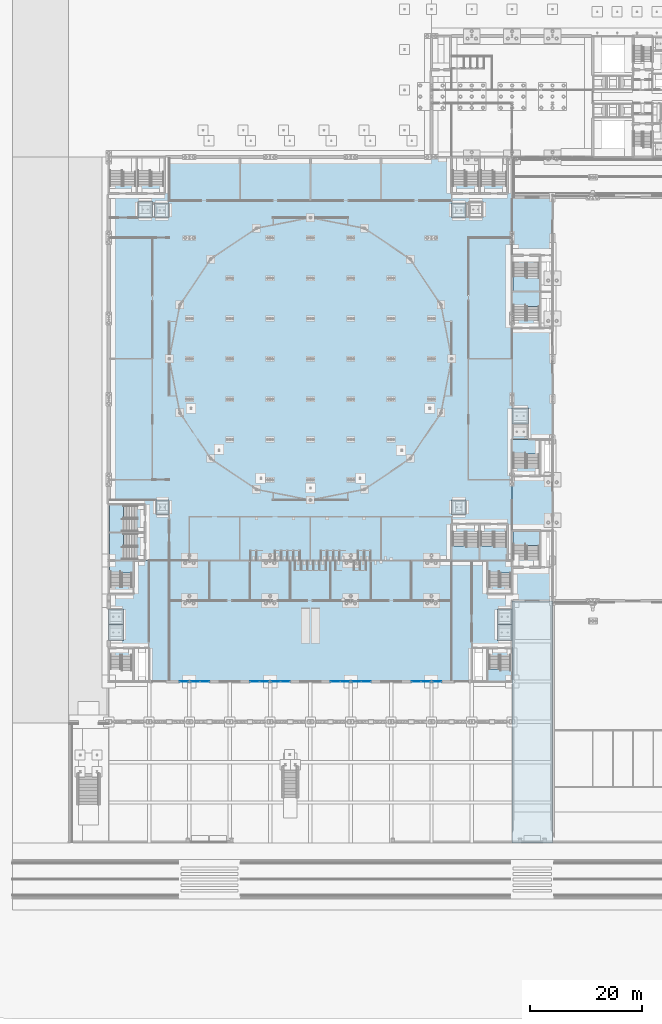
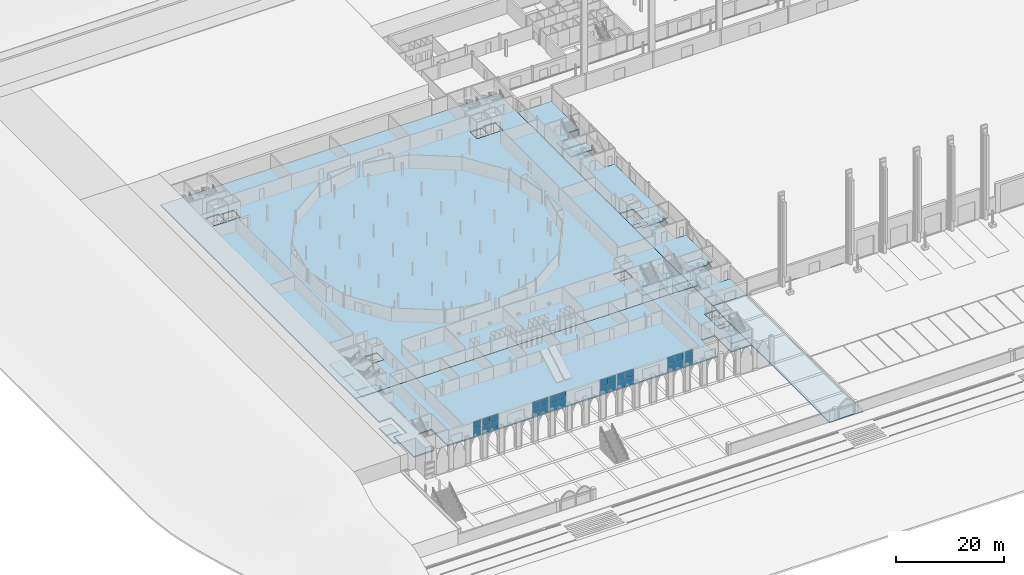
# One storey, part 73 of 148: 28 plates, 26 slabs, 19 elements without a shape of their own.
"""IFC4 building model written with IfcOpenShell, lengths in metres."""

import ifcopenshell
import ifcopenshell.guid

model = None  # the IFC model being written
_history = None  # IfcOwnerHistory: only IFC2X3 demands one
_inside = {}  # id of a spatial element -> (the spatial element, [elements in it])
_under = {}  # id of a project, library or spatial element -> (it, [spatial elements below it])
_declared = {}  # id of a project -> (the project, [libraries it declares])
_typed = {}  # id of a type object -> (the type object, [elements of that type])
_made_of = {}  # id of a material, layer set ... -> (it, [elements and type objects made of it])


def new_model(schema):
    """Start an empty IFC model of exactly this schema.

    Asked for "IFC4X3", IfcOpenShell would pick the latest addendum, in which some entities
    have other attributes; the version numbers below select the first issue.
    IFC2X3 requires an IfcOwnerHistory on every rooted entity: one is made here for all.
    """
    global model, _history
    if schema == "IFC4X3":
        model = ifcopenshell.file(schema_version=(4, 3, 0, 0))
    else:
        model = ifcopenshell.file(schema=schema)
    _inside.clear()
    _under.clear()
    _declared.clear()
    _typed.clear()
    _made_of.clear()
    _history = None
    if model.schema == "IFC2X3":
        org = make("IfcOrganization", Name="unknown")
        user = make(
            "IfcPersonAndOrganization",
            ThePerson=make("IfcPerson", FamilyName="unknown"),
            TheOrganization=org,
        )
        app = make(
            "IfcApplication",
            ApplicationDeveloper=org,
            Version="unknown",
            ApplicationFullName="unknown",
            ApplicationIdentifier="unknown",
        )
        _history = make(
            "IfcOwnerHistory",
            OwningUser=user,
            OwningApplication=app,
            ChangeAction="ADDED",
            CreationDate=0,
        )
    return model


def make(cls, **values):
    """One entity of the class cls with the attributes given. An attribute that is None is left unset."""
    return model.create_entity(
        cls, **{name: value for name, value in values.items() if value is not None}
    )


def rooted(cls, **values):
    """An entity with a GlobalId (a new one), such as an element, a storey or a relation."""
    return make(cls, GlobalId=ifcopenshell.guid.new(), OwnerHistory=_history, **values)


def si_unit(unit_type, name, prefix=None):
    """IfcSIUnit, for example si_unit("LENGTHUNIT", "METRE", prefix="MILLI")."""
    return make("IfcSIUnit", UnitType=unit_type, Prefix=prefix, Name=name)


def assignment(units):
    """IfcUnitAssignment: the units of a project."""
    return None if units is None else make("IfcUnitAssignment", Units=units)


def point(xyz):
    """IfcCartesianPoint."""
    return None if xyz is None else make("IfcCartesianPoint", Coordinates=xyz)


def direction(xyz):
    """IfcDirection."""
    return None if xyz is None else make("IfcDirection", DirectionRatios=xyz)


def frame(location, z_axis=None, x_axis=None):
    """IfcAxis2Placement3D, a coordinate frame: its origin and axes. An axis left out is left unset."""
    return make(
        "IfcAxis2Placement3D",
        Location=point(location),
        Axis=direction(z_axis),
        RefDirection=direction(x_axis),
    )


def frame_2d(location, x_axis=None):
    """IfcAxis2Placement2D, a coordinate frame in the plane: its origin and x axis."""
    return make(
        "IfcAxis2Placement2D", Location=point(location), RefDirection=direction(x_axis)
    )


def origin():
    """The frame at (0, 0, 0) with its axes left unset."""
    return frame((0.0, 0.0, 0.0))


def origin_2d():
    """The frame at (0, 0) in the plane with its x axis left unset."""
    return frame_2d((0.0, 0.0))


def place(relative_to, where):
    """IfcLocalPlacement: puts the frame where relative to a parent placement (None: the world)."""
    return make(
        "IfcLocalPlacement", PlacementRelTo=relative_to, RelativePlacement=where
    )


def context(
    kind, dimensions, precision=None, world=None, true_north=None, identifier=None
):
    """IfcGeometricRepresentationContext, for example the 3D "Model" context."""
    return make(
        "IfcGeometricRepresentationContext",
        ContextIdentifier=identifier,
        ContextType=kind,
        CoordinateSpaceDimension=dimensions,
        Precision=precision,
        WorldCoordinateSystem=world,
        TrueNorth=true_north,
    )


def subcontext(parent, identifier, kind, view, scale=None):
    """IfcGeometricRepresentationSubContext, for example "Body" below "Model"."""
    return make(
        "IfcGeometricRepresentationSubContext",
        ContextIdentifier=identifier,
        ContextType=kind,
        ParentContext=parent,
        TargetScale=scale,
        TargetView=view,
    )


def project(units=None, contexts=None):
    """IfcProject with its units and contexts."""
    return rooted(
        "IfcProject",
        Name="project",
        RepresentationContexts=contexts,
        UnitsInContext=assignment(units),
    )


def spatial(cls, under=None, at=None, **own):
    """A site, building, storey or space (cls), placed at a placement, below another one or the project."""
    s = rooted(cls, ObjectPlacement=at, **own)
    if under is not None:
        _under.setdefault(under.id(), (under, []))[1].append(s)
    return s


def polyline(points):
    """IfcPolyline through the points."""
    return make("IfcPolyline", Points=[point(p) for p in points])


def profile(cls, at=None, kind="AREA", **sizes):
    """A parametric profile (cls). Its sizes go by their IFC names, for example OverallWidth=200.0."""
    return make(cls, ProfileType=kind, Position=at, **sizes)


def rectangle(**sizes):
    """IfcRectangleProfileDef."""
    return profile("IfcRectangleProfileDef", **sizes)


def outline(outer, holes=None, kind="AREA"):
    """IfcArbitraryClosedProfileDef: a profile drawn as a closed curve; with holes, ...WithVoids."""
    if holes is None:
        return make("IfcArbitraryClosedProfileDef", ProfileType=kind, OuterCurve=outer)
    return make(
        "IfcArbitraryProfileDefWithVoids",
        ProfileType=kind,
        OuterCurve=outer,
        InnerCurves=holes,
    )


def extrude(swept, where, along, depth):
    """IfcExtrudedAreaSolid: the profile swept, set in the frame where, extruded along a direction by depth."""
    return make(
        "IfcExtrudedAreaSolid",
        SweptArea=swept,
        Position=where,
        ExtrudedDirection=direction(along),
        Depth=depth,
    )


def shape(context_of_items, identifier, shape_type, items):
    """IfcShapeRepresentation: the items that make up one representation, for example the "Body"."""
    return make(
        "IfcShapeRepresentation",
        ContextOfItems=context_of_items,
        RepresentationIdentifier=identifier,
        RepresentationType=shape_type,
        Items=items,
    )


def material(Name=None, Category=None):
    """IfcMaterial."""
    return make("IfcMaterial", Name=Name, Category=Category)


def layer(
    of_material, thickness, ventilated=None, Name=None, Category=None, Priority=None
):
    """IfcMaterialLayer: one layer of a wall or slab, of a material (None: an air gap)."""
    return make(
        "IfcMaterialLayer",
        Material=of_material,
        LayerThickness=thickness,
        IsVentilated=ventilated,
        Name=Name,
        Category=Category,
        Priority=Priority,
    )


def layer_set(layers, Name=None):
    """IfcMaterialLayerSet."""
    return make("IfcMaterialLayerSet", MaterialLayers=layers, LayerSetName=Name)


def made_of(thing, what):
    """Note that an element or type object is made of a material, layer set ...; save() writes the relation."""
    if what is not None:
        _made_of.setdefault(what.id(), (what, []))[1].append(thing)
    return thing


def type_object(cls, material=None, **own):
    """A type object (cls), such as IfcWallType, which elements share."""
    return made_of(rooted(cls, **own), material)


def element(
    cls,
    number,
    at=None,
    inside=None,
    cuts=None,
    type_object=None,
    material=None,
    context=None,
    identifier="Body",
    shape_type=None,
    held_by="IfcProductDefinitionShape",
    body=None,
    shapes=None,
    **own,
):
    """One element of the class cls, such as IfcWall. Its Tag is "e" and its number.

    at: its placement. inside: the storey or other place that contains it. cuts: it is an
    opening in that element (IfcRelVoidsElement). A single representation is given by context,
    identifier, shape_type and body (its items); several are given by shapes. held_by: the class
    of the entity that holds the representations. save() writes the other relations.
    """
    e = rooted(cls, Tag="e%d" % number, ObjectPlacement=at, **own)
    if body is not None:
        shapes = [shape(context, identifier, shape_type, body)]
    if shapes is not None:
        e.Representation = make(held_by, Representations=shapes)
    if inside is not None:
        _inside.setdefault(inside.id(), (inside, []))[1].append(e)
    if cuts is not None:
        rooted(
            "IfcRelVoidsElement", RelatingBuildingElement=cuts, RelatedOpeningElement=e
        )
    if type_object is not None:
        _typed.setdefault(type_object.id(), (type_object, []))[1].append(e)
    return made_of(e, material)


def aggregate(whole, parts):
    """IfcRelAggregates: a whole, such as a stair, and the parts it consists of."""
    return rooted("IfcRelAggregates", RelatingObject=whole, RelatedObjects=parts)


def save(model, path):
    """Write the relations noted so far, then the file.

    IfcRelAggregates (storeys below a building ...), IfcRelContainedInSpatialStructure (elements
    in a storey), IfcRelDefinesByType, IfcRelAssociatesMaterial and IfcRelDeclares: one each for
    every whole, place, type object, material and project.
    """
    for whole, parts in _under.values():
        aggregate(whole, parts)
    for where, things in _inside.values():
        rooted(
            "IfcRelContainedInSpatialStructure",
            RelatedElements=things,
            RelatingStructure=where,
        )
    for kind, things in _typed.values():
        rooted("IfcRelDefinesByType", RelatedObjects=things, RelatingType=kind)
    for what, things in _made_of.values():
        rooted("IfcRelAssociatesMaterial", RelatedObjects=things, RelatingMaterial=what)
    for by, libraries in _declared.values():
        rooted("IfcRelDeclares", RelatingContext=by, RelatedDefinitions=libraries)
    model.write(path)


model = new_model("IFC4")

# Units and contexts
model_context = context("Model", 3, precision=1e-05, world=origin(), true_north=direction((0.0, 1.0)))
body_context = subcontext(model_context, "Body", "Model", "MODEL_VIEW")
ifc_project = project(units=[si_unit("LENGTHUNIT", "METRE"), si_unit("AREAUNIT", "SQUARE_METRE"), si_unit("VOLUMEUNIT", "CUBIC_METRE"), si_unit("PLANEANGLEUNIT", "RADIAN"), si_unit("MASSUNIT", "GRAM", prefix="KILO")], contexts=[model_context])

# Site, building, storey
site_placement = place(None, origin())
site = spatial("IfcSite", under=ifc_project, at=site_placement, CompositionType="ELEMENT")
building_placement = place(site_placement, origin())
building = spatial("IfcBuilding", under=site, at=building_placement, Name="Kupolbacken Congress Centre", CompositionType="ELEMENT")
storey_placement = place(building_placement, origin())
storey = spatial("IfcBuildingStorey", under=building, at=storey_placement, Name="L00", CompositionType="ELEMENT", Elevation=0.0)

# Slabs
ifc_material_1 = material(Name="Concrete C30/37", Category="concrete")
ifc_layer_1 = layer(ifc_material_1, 0.22998046875)
ifc_layer_set_1 = layer_set([ifc_layer_1], Name="Concrete C30/37")
slab_type_1 = type_object("IfcSlabType", Name="BS1 slab 230", PredefinedType="BASESLAB", material=ifc_layer_set_1)
slab_1_placement = place(storey_placement, frame((0.0, 0.0, -0.22998046875)))
element("IfcSlab", 1, at=slab_1_placement, inside=storey, type_object=slab_type_1, Name="S/ground/FOOTPATH", PredefinedType="BASESLAB", context=body_context, shape_type="SweptSolid", body=[
    extrude(outline(polyline([(86.3994140625, 0.00146484375), (86.3994140625, 43.199462890625), (79.200439453125, 43.199462890625), (79.200439453125, 0.00146484375), (86.3994140625, 0.00146484375)])), origin(), (0.0, 0.0, 1.0), 0.22998046875),
])
ifc_material_2 = material(Name="Concrete C30/37", Category="concrete")
ifc_layer_2 = layer(ifc_material_2, 0.260009765625)
ifc_layer_set_2 = layer_set([ifc_layer_2], Name="Concrete C30/37")
slab_type_2 = type_object("IfcSlabType", Name="BS2 slab 260", PredefinedType="BASESLAB", material=ifc_layer_set_2)
slab_2_placement = place(storey_placement, frame((0.0, 0.0, -0.260009765625)))
element("IfcSlab", 2, at=slab_2_placement, inside=storey, type_object=slab_type_2, Name="S/ground/F", PredefinedType="BASESLAB", context=body_context, shape_type="SweptSolid", body=[
    extrude(outline(polyline([(7.200439453125, 28.800537109375), (11.599609375, 28.800537109375), (11.599609375, 34.800537109375), (14.400390625, 34.800537109375), (14.400390625, 28.800537109375), (71.99951171875, 28.800537109375), (71.99951171875, 34.800537109375), (74.800537109375, 34.800537109375), (74.800537109375, 28.800537109375), (79.199462890625, 28.800537109375), (79.199462890625, 36.1494140625), (76.599609375, 36.1494140625), (76.599609375, 41.75048828125), (79.199462890625, 41.75048828125), (79.199462890625, 50.3994140625), (7.200439453125, 50.3994140625), (7.200439453125, 41.75048828125), (9.800537109375, 41.75048828125), (9.800537109375, 36.1494140625), (7.200439453125, 36.1494140625), (7.200439453125, 28.800537109375)])), origin(), (0.0, 0.0, 1.0), 0.260009765625),
])
slab_3_placement = place(storey_placement, frame((0.0, 0.0, -0.260009765625)))
element("IfcSlab", 3, at=slab_3_placement, inside=storey, type_object=slab_type_2, Name="S/ground/P", PredefinedType="BASESLAB", context=body_context, shape_type="SweptSolid", body=[
    extrude(outline(polyline([(7.200439453125, 50.400390625), (79.199462890625, 50.400390625), (79.199462890625, 122.3994140625), (7.200439453125, 122.3994140625), (7.200439453125, 50.400390625)]), holes=[polyline([(71.3994140625, 114.50048828125), (74.00048828125, 114.50048828125), (74.00048828125, 111.599609375), (71.3994140625, 111.599609375), (71.3994140625, 114.50048828125)]), polyline([(68.3994140625, 61.200439453125), (71.00048828125, 61.200439453125), (71.00048828125, 58.599609375), (68.3994140625, 58.599609375), (68.3994140625, 61.200439453125)]), polyline([(71.00048828125, 111.599609375), (68.3994140625, 111.599609375), (68.3994140625, 114.200439453125), (71.00048828125, 114.200439453125), (71.00048828125, 111.599609375)]), polyline([(15.3994140625, 114.200439453125), (18.00048828125, 114.200439453125), (18.00048828125, 111.599609375), (15.3994140625, 111.599609375), (15.3994140625, 114.200439453125)]), polyline([(18.00048828125, 58.599609375), (15.599609375, 58.599609375), (15.599609375, 61.200439453125), (18.00048828125, 61.200439453125), (18.00048828125, 58.599609375)]), polyline([(12.3994140625, 114.50048828125), (15.00048828125, 114.50048828125), (15.00048828125, 111.599609375), (12.3994140625, 111.599609375), (12.3994140625, 114.50048828125)])]), origin(), (0.0, 0.0, 1.0), 0.260009765625),
])
slab_4_placement = place(storey_placement, frame((0.0, 0.0, -0.260009765625)))
element("IfcSlab", 4, at=slab_4_placement, inside=storey, type_object=slab_type_2, Name="S/ground/LINK", PredefinedType="BASESLAB", context=body_context, shape_type="SweptSolid", body=[
    extrude(outline(polyline([(79.200439453125, 43.200439453125), (86.3994140625, 43.200439453125), (86.3994140625, 49.199462890625), (84.199462890625, 49.199462890625), (84.199462890625, 55.700439453125), (86.3994140625, 55.700439453125), (86.3994140625, 65.49951171875), (84.199462890625, 65.49951171875), (84.199462890625, 72.00048828125), (86.3994140625, 72.00048828125), (86.3994140625, 91.8994140625), (84.199462890625, 91.8994140625), (84.199462890625, 104.900390625), (86.3994140625, 104.900390625), (86.3994140625, 115.199462890625), (79.200439453125, 115.199462890625), (79.200439453125, 77.6005859375), (82.1005859375, 77.6005859375), (82.1005859375, 71.99951171875), (79.200439453125, 71.99951171875), (79.200439453125, 43.200439453125)])), origin(), (0.0, 0.0, 1.0), 0.260009765625),
])
ifc_material_3 = material(Name="Concrete C30/37", Category="concrete")
ifc_layer_3 = layer(ifc_material_3, 0.300048828125)
ifc_layer_set_3 = layer_set([ifc_layer_3], Name="Concrete C30/37")
slab_type_3 = type_object("IfcSlabType", Name="BS3 slab 300", PredefinedType="BASESLAB", material=ifc_layer_set_3)
slab_5_placement = place(storey_placement, frame((0.0, 0.0, -1.699951171875)))
element("IfcSlab", 5, at=slab_5_placement, inside=storey, type_object=slab_type_3, Name="Lift pit slab LP1", PredefinedType="BASESLAB", context=body_context, shape_type="SweptSolid", body=[
    extrude(outline(polyline([(7.199951171875, 36.14990234375), (9.800048828125, 36.14990234375), (9.800048828125, 38.949951171875), (7.199951171875, 38.949951171875), (7.199951171875, 36.14990234375)])), origin(), (0.0, 0.0, 1.0), 0.300048828125),
])
slab_6_placement = place(storey_placement, frame((0.0, 0.0, -1.699951171875)))
element("IfcSlab", 6, at=slab_6_placement, inside=storey, type_object=slab_type_3, Name="Lift pit slab LP2", PredefinedType="BASESLAB", context=body_context, shape_type="SweptSolid", body=[
    extrude(outline(polyline([(7.199951171875, 38.949951171875), (9.800048828125, 38.949951171875), (9.800048828125, 41.75), (7.199951171875, 41.75), (7.199951171875, 38.949951171875)])), origin(), (0.0, 0.0, 1.0), 0.300048828125),
])
slab_7_placement = place(storey_placement, frame((0.0, 0.0, -1.699951171875)))
element("IfcSlab", 7, at=slab_7_placement, inside=storey, type_object=slab_type_3, Name="Lift pit slab LP3", PredefinedType="BASESLAB", context=body_context, shape_type="SweptSolid", body=[
    extrude(outline(polyline([(76.60009765625, 36.14990234375), (79.199951171875, 36.14990234375), (79.199951171875, 38.949951171875), (76.60009765625, 38.949951171875), (76.60009765625, 36.14990234375)])), origin(), (0.0, 0.0, 1.0), 0.300048828125),
])
slab_8_placement = place(storey_placement, frame((0.0, 0.0, -1.699951171875)))
element("IfcSlab", 8, at=slab_8_placement, inside=storey, type_object=slab_type_3, Name="Lift pit slab LP4", PredefinedType="BASESLAB", context=body_context, shape_type="SweptSolid", body=[
    extrude(outline(polyline([(76.60009765625, 38.949951171875), (79.199951171875, 38.949951171875), (79.199951171875, 41.75), (76.60009765625, 41.75), (76.60009765625, 38.949951171875)])), origin(), (0.0, 0.0, 1.0), 0.300048828125),
])
slab_9_placement = place(storey_placement, frame((0.0, 0.0, -1.699951171875)))
element("IfcSlab", 9, at=slab_9_placement, inside=storey, type_object=slab_type_3, Name="Lift pit slab LP5", PredefinedType="BASESLAB", context=body_context, shape_type="SweptSolid", body=[
    extrude(outline(polyline([(15.60009765625, 58.60009765625), (18.0, 58.60009765625), (18.0, 61.199951171875), (15.60009765625, 61.199951171875), (15.60009765625, 58.60009765625)])), origin(), (0.0, 0.0, 1.0), 0.300048828125),
])
slab_10_placement = place(storey_placement, frame((0.0, 0.0, -1.699951171875)))
element("IfcSlab", 10, at=slab_10_placement, inside=storey, type_object=slab_type_3, Name="Lift pit slab LP6", PredefinedType="BASESLAB", context=body_context, shape_type="SweptSolid", body=[
    extrude(outline(polyline([(68.39990234375, 58.60009765625), (71.0, 58.60009765625), (71.0, 61.199951171875), (68.39990234375, 61.199951171875), (68.39990234375, 58.60009765625)])), origin(), (0.0, 0.0, 1.0), 0.300048828125),
])
slab_11_placement = place(storey_placement, frame((0.0, 0.0, -1.699951171875)))
element("IfcSlab", 11, at=slab_11_placement, inside=storey, type_object=slab_type_3, Name="Lift pit slab LP7", PredefinedType="BASESLAB", context=body_context, shape_type="SweptSolid", body=[
    extrude(outline(polyline([(15.39990234375, 111.60009765625), (18.0, 111.60009765625), (18.0, 114.199951171875), (15.39990234375, 114.199951171875), (15.39990234375, 111.60009765625)])), origin(), (0.0, 0.0, 1.0), 0.300048828125),
])
slab_12_placement = place(storey_placement, frame((0.0, 0.0, -1.699951171875)))
element("IfcSlab", 12, at=slab_12_placement, inside=storey, type_object=slab_type_3, Name="Lift pit slab LG1", PredefinedType="BASESLAB", context=body_context, shape_type="SweptSolid", body=[
    extrude(outline(polyline([(12.39990234375, 111.60009765625), (15.0, 111.60009765625), (15.0, 114.5), (12.39990234375, 114.5), (12.39990234375, 111.60009765625)])), origin(), (0.0, 0.0, 1.0), 0.300048828125),
])
slab_13_placement = place(storey_placement, frame((0.0, 0.0, -1.699951171875)))
element("IfcSlab", 13, at=slab_13_placement, inside=storey, type_object=slab_type_3, Name="Lift pit slab LP8", PredefinedType="BASESLAB", context=body_context, shape_type="SweptSolid", body=[
    extrude(outline(polyline([(68.39990234375, 111.60009765625), (71.0, 111.60009765625), (71.0, 114.199951171875), (68.39990234375, 114.199951171875), (68.39990234375, 111.60009765625)])), origin(), (0.0, 0.0, 1.0), 0.300048828125),
])
slab_14_placement = place(storey_placement, frame((0.0, 0.0, -1.699951171875)))
element("IfcSlab", 14, at=slab_14_placement, inside=storey, type_object=slab_type_3, Name="Lift pit slab LG3", PredefinedType="BASESLAB", context=body_context, shape_type="SweptSolid", body=[
    extrude(outline(polyline([(79.199951171875, 72.0), (82.10009765625, 72.0), (82.10009765625, 74.800048828125), (79.199951171875, 74.800048828125), (79.199951171875, 72.0)])), origin(), (0.0, 0.0, 1.0), 0.300048828125),
])
slab_15_placement = place(storey_placement, frame((0.0, 0.0, -1.699951171875)))
element("IfcSlab", 15, at=slab_15_placement, inside=storey, type_object=slab_type_3, Name="Lift pit slab LG4", PredefinedType="BASESLAB", context=body_context, shape_type="SweptSolid", body=[
    extrude(outline(polyline([(79.199951171875, 74.800048828125), (82.10009765625, 74.800048828125), (82.10009765625, 77.60009765625), (79.199951171875, 77.60009765625), (79.199951171875, 74.800048828125)])), origin(), (0.0, 0.0, 1.0), 0.300048828125),
])

# Curtain wall, plates
ifc_material_4 = material(Name="Aluminium mullion-transom frame with glass", Category="aluminium")
curtain_wall_type = type_object("IfcCurtainWallType", Name="CW2 curtain wall 3600x3600", PredefinedType="NOTDEFINED", material=ifc_material_4)
curtain_wall_1_placement = place(storey_placement, origin())
curtain_wall_1 = element("IfcCurtainWall", 16, at=curtain_wall_1_placement, inside=storey, type_object=curtain_wall_type, Name="E/F/S/L00/030", PredefinedType="NOTDEFINED")
ifc_material_5 = material(Name="Glass", Category="glass")
ifc_layer_4 = layer(ifc_material_5, 0.035888671875)
ifc_layer_set_4 = layer_set([ifc_layer_4], Name="Glass")
plate_type = type_object("IfcPlateType", Name="GL2 glass panel 36", PredefinedType="CURTAIN_PANEL", material=ifc_layer_set_4)
plate_1_placement = place(storey_placement, frame((20.625, 28.800048828125, 0.06005859375), z_axis=(0.0, 0.0, 1.0), x_axis=(1.0, 0.0, 0.0)))
plate_1 = element("IfcPlate", 17, at=plate_1_placement, type_object=plate_type, Name="CW2 panel 1.1", PredefinedType="CURTAIN_PANEL", context=body_context, shape_type="SweptSolid", body=[
    extrude(rectangle(XDim=1.530029296875, YDim=0.035888671875, at=origin_2d()), origin(), (0.0, 0.0, 1.0), 1.7099609375),
])
plate_2_placement = place(storey_placement, frame((20.625, 28.800048828125, 1.830078125), z_axis=(0.0, 0.0, 1.0), x_axis=(1.0, 0.0, 0.0)))
plate_2 = element("IfcPlate", 18, at=plate_2_placement, type_object=plate_type, Name="CW2 panel 1.2", PredefinedType="CURTAIN_PANEL", context=body_context, shape_type="SweptSolid", body=[
    extrude(rectangle(XDim=1.530029296875, YDim=0.035888671875, at=origin_2d()), origin(), (0.0, 0.0, 1.0), 1.530029296875),
])
aggregate(curtain_wall_1, [plate_1, plate_2])

curtain_wall_2_placement = place(storey_placement, origin())
curtain_wall_2 = element("IfcCurtainWall", 19, at=curtain_wall_2_placement, inside=storey, type_object=curtain_wall_type, Name="E/F/S/L00/031", PredefinedType="NOTDEFINED")
plate_3_placement = place(storey_placement, frame((22.62744140625, 28.800048828125, 0.06005859375), z_axis=(0.0, 0.0, 1.0), x_axis=(1.0, 0.0, 0.0)))
plate_3 = element("IfcPlate", 20, at=plate_3_placement, type_object=plate_type, Name="CW2 panel 1.1", PredefinedType="CURTAIN_PANEL", context=body_context, shape_type="SweptSolid", body=[
    extrude(rectangle(XDim=1.635009765625, YDim=0.035888671875, at=origin_2d()), origin(), (0.0, 0.0, 1.0), 1.7099609375),
])
plate_4_placement = place(storey_placement, frame((22.62744140625, 28.800048828125, 1.830078125), z_axis=(0.0, 0.0, 1.0), x_axis=(1.0, 0.0, 0.0)))
plate_4 = element("IfcPlate", 21, at=plate_4_placement, type_object=plate_type, Name="CW2 panel 1.2", PredefinedType="CURTAIN_PANEL", context=body_context, shape_type="SweptSolid", body=[
    extrude(rectangle(XDim=1.635009765625, YDim=0.035888671875, at=origin_2d()), origin(), (0.0, 0.0, 1.0), 1.530029296875),
])
plate_5_placement = place(storey_placement, frame((24.322509765625, 28.800048828125, 0.06005859375), z_axis=(0.0, 0.0, 1.0), x_axis=(1.0, 0.0, 0.0)))
plate_5 = element("IfcPlate", 22, at=plate_5_placement, type_object=plate_type, Name="CW2 panel 2.1", PredefinedType="CURTAIN_PANEL", context=body_context, shape_type="SweptSolid", body=[
    extrude(rectangle(XDim=1.635009765625, YDim=0.035888671875, at=origin_2d()), origin(), (0.0, 0.0, 1.0), 1.7099609375),
])
plate_6_placement = place(storey_placement, frame((24.322509765625, 28.800048828125, 1.830078125), z_axis=(0.0, 0.0, 1.0), x_axis=(1.0, 0.0, 0.0)))
plate_6 = element("IfcPlate", 23, at=plate_6_placement, type_object=plate_type, Name="CW2 panel 2.2", PredefinedType="CURTAIN_PANEL", context=body_context, shape_type="SweptSolid", body=[
    extrude(rectangle(XDim=1.635009765625, YDim=0.035888671875, at=origin_2d()), origin(), (0.0, 0.0, 1.0), 1.530029296875),
])
aggregate(curtain_wall_2, [plate_3, plate_4, plate_5, plate_6])

curtain_wall_3_placement = place(storey_placement, origin())
curtain_wall_3 = element("IfcCurtainWall", 24, at=curtain_wall_3_placement, inside=storey, type_object=curtain_wall_type, Name="E/F/S/L00/033", PredefinedType="NOTDEFINED")
plate_7_placement = place(storey_placement, frame((33.277587890625, 28.800048828125, 0.06005859375), z_axis=(0.0, 0.0, 1.0), x_axis=(1.0, 0.0, 0.0)))
plate_7 = element("IfcPlate", 25, at=plate_7_placement, type_object=plate_type, Name="CW2 panel 1.1", PredefinedType="CURTAIN_PANEL", context=body_context, shape_type="SweptSolid", body=[
    extrude(rectangle(XDim=1.635009765625, YDim=0.035888671875, at=origin_2d()), origin(), (0.0, 0.0, 1.0), 1.7099609375),
])
plate_8_placement = place(storey_placement, frame((33.277587890625, 28.800048828125, 1.830078125), z_axis=(0.0, 0.0, 1.0), x_axis=(1.0, 0.0, 0.0)))
plate_8 = element("IfcPlate", 26, at=plate_8_placement, type_object=plate_type, Name="CW2 panel 1.2", PredefinedType="CURTAIN_PANEL", context=body_context, shape_type="SweptSolid", body=[
    extrude(rectangle(XDim=1.635009765625, YDim=0.035888671875, at=origin_2d()), origin(), (0.0, 0.0, 1.0), 1.530029296875),
])
plate_9_placement = place(storey_placement, frame((34.972412109375, 28.800048828125, 0.06005859375), z_axis=(0.0, 0.0, 1.0), x_axis=(1.0, 0.0, 0.0)))
plate_9 = element("IfcPlate", 27, at=plate_9_placement, type_object=plate_type, Name="CW2 panel 2.1", PredefinedType="CURTAIN_PANEL", context=body_context, shape_type="SweptSolid", body=[
    extrude(rectangle(XDim=1.635009765625, YDim=0.035888671875, at=origin_2d()), origin(), (0.0, 0.0, 1.0), 1.7099609375),
])
plate_10_placement = place(storey_placement, frame((34.972412109375, 28.800048828125, 1.830078125), z_axis=(0.0, 0.0, 1.0), x_axis=(1.0, 0.0, 0.0)))
plate_10 = element("IfcPlate", 28, at=plate_10_placement, type_object=plate_type, Name="CW2 panel 2.2", PredefinedType="CURTAIN_PANEL", context=body_context, shape_type="SweptSolid", body=[
    extrude(rectangle(XDim=1.635009765625, YDim=0.035888671875, at=origin_2d()), origin(), (0.0, 0.0, 1.0), 1.530029296875),
])
aggregate(curtain_wall_3, [plate_7, plate_8, plate_9, plate_10])

curtain_wall_4_placement = place(storey_placement, origin())
curtain_wall_4 = element("IfcCurtainWall", 29, at=curtain_wall_4_placement, inside=storey, type_object=curtain_wall_type, Name="E/F/S/L00/034", PredefinedType="NOTDEFINED")
plate_11_placement = place(storey_placement, frame((37.027587890625, 28.800048828125, 0.06005859375), z_axis=(0.0, 0.0, 1.0), x_axis=(1.0, 0.0, 0.0)))
plate_11 = element("IfcPlate", 30, at=plate_11_placement, type_object=plate_type, Name="CW2 panel 1.1", PredefinedType="CURTAIN_PANEL", context=body_context, shape_type="SweptSolid", body=[
    extrude(rectangle(XDim=1.635009765625, YDim=0.035888671875, at=origin_2d()), origin(), (0.0, 0.0, 1.0), 1.7099609375),
])
plate_12_placement = place(storey_placement, frame((37.027587890625, 28.800048828125, 1.830078125), z_axis=(0.0, 0.0, 1.0), x_axis=(1.0, 0.0, 0.0)))
plate_12 = element("IfcPlate", 31, at=plate_12_placement, type_object=plate_type, Name="CW2 panel 1.2", PredefinedType="CURTAIN_PANEL", context=body_context, shape_type="SweptSolid", body=[
    extrude(rectangle(XDim=1.635009765625, YDim=0.035888671875, at=origin_2d()), origin(), (0.0, 0.0, 1.0), 1.530029296875),
])
plate_13_placement = place(storey_placement, frame((38.722412109375, 28.800048828125, 0.06005859375), z_axis=(0.0, 0.0, 1.0), x_axis=(1.0, 0.0, 0.0)))
plate_13 = element("IfcPlate", 32, at=plate_13_placement, type_object=plate_type, Name="CW2 panel 2.1", PredefinedType="CURTAIN_PANEL", context=body_context, shape_type="SweptSolid", body=[
    extrude(rectangle(XDim=1.635009765625, YDim=0.035888671875, at=origin_2d()), origin(), (0.0, 0.0, 1.0), 1.7099609375),
])
plate_14_placement = place(storey_placement, frame((38.722412109375, 28.800048828125, 1.830078125), z_axis=(0.0, 0.0, 1.0), x_axis=(1.0, 0.0, 0.0)))
plate_14 = element("IfcPlate", 33, at=plate_14_placement, type_object=plate_type, Name="CW2 panel 2.2", PredefinedType="CURTAIN_PANEL", context=body_context, shape_type="SweptSolid", body=[
    extrude(rectangle(XDim=1.635009765625, YDim=0.035888671875, at=origin_2d()), origin(), (0.0, 0.0, 1.0), 1.530029296875),
])
aggregate(curtain_wall_4, [plate_11, plate_12, plate_13, plate_14])

curtain_wall_5_placement = place(storey_placement, origin())
curtain_wall_5 = element("IfcCurtainWall", 34, at=curtain_wall_5_placement, inside=storey, type_object=curtain_wall_type, Name="E/F/S/L00/036", PredefinedType="NOTDEFINED")
plate_15_placement = place(storey_placement, frame((47.677490234375, 28.800048828125, 0.06005859375), z_axis=(0.0, 0.0, 1.0), x_axis=(1.0, 0.0, 0.0)))
plate_15 = element("IfcPlate", 35, at=plate_15_placement, type_object=plate_type, Name="CW2 panel 1.1", PredefinedType="CURTAIN_PANEL", context=body_context, shape_type="SweptSolid", body=[
    extrude(rectangle(XDim=1.635009765625, YDim=0.035888671875, at=origin_2d()), origin(), (0.0, 0.0, 1.0), 1.7099609375),
])
plate_16_placement = place(storey_placement, frame((47.677490234375, 28.800048828125, 1.830078125), z_axis=(0.0, 0.0, 1.0), x_axis=(1.0, 0.0, 0.0)))
plate_16 = element("IfcPlate", 36, at=plate_16_placement, type_object=plate_type, Name="CW2 panel 1.2", PredefinedType="CURTAIN_PANEL", context=body_context, shape_type="SweptSolid", body=[
    extrude(rectangle(XDim=1.635009765625, YDim=0.035888671875, at=origin_2d()), origin(), (0.0, 0.0, 1.0), 1.530029296875),
])
plate_17_placement = place(storey_placement, frame((49.37255859375, 28.800048828125, 0.06005859375), z_axis=(0.0, 0.0, 1.0), x_axis=(1.0, 0.0, 0.0)))
plate_17 = element("IfcPlate", 37, at=plate_17_placement, type_object=plate_type, Name="CW2 panel 2.1", PredefinedType="CURTAIN_PANEL", context=body_context, shape_type="SweptSolid", body=[
    extrude(rectangle(XDim=1.635009765625, YDim=0.035888671875, at=origin_2d()), origin(), (0.0, 0.0, 1.0), 1.7099609375),
])
plate_18_placement = place(storey_placement, frame((49.37255859375, 28.800048828125, 1.830078125), z_axis=(0.0, 0.0, 1.0), x_axis=(1.0, 0.0, 0.0)))
plate_18 = element("IfcPlate", 38, at=plate_18_placement, type_object=plate_type, Name="CW2 panel 2.2", PredefinedType="CURTAIN_PANEL", context=body_context, shape_type="SweptSolid", body=[
    extrude(rectangle(XDim=1.635009765625, YDim=0.035888671875, at=origin_2d()), origin(), (0.0, 0.0, 1.0), 1.530029296875),
])
aggregate(curtain_wall_5, [plate_15, plate_16, plate_17, plate_18])

curtain_wall_6_placement = place(storey_placement, origin())
curtain_wall_6 = element("IfcCurtainWall", 39, at=curtain_wall_6_placement, inside=storey, type_object=curtain_wall_type, Name="E/F/S/L00/037", PredefinedType="NOTDEFINED")
plate_19_placement = place(storey_placement, frame((51.427490234375, 28.800048828125, 0.06005859375), z_axis=(0.0, 0.0, 1.0), x_axis=(1.0, 0.0, 0.0)))
plate_19 = element("IfcPlate", 40, at=plate_19_placement, type_object=plate_type, Name="CW2 panel 1.1", PredefinedType="CURTAIN_PANEL", context=body_context, shape_type="SweptSolid", body=[
    extrude(rectangle(XDim=1.635009765625, YDim=0.035888671875, at=origin_2d()), origin(), (0.0, 0.0, 1.0), 1.7099609375),
])
plate_20_placement = place(storey_placement, frame((51.427490234375, 28.800048828125, 1.830078125), z_axis=(0.0, 0.0, 1.0), x_axis=(1.0, 0.0, 0.0)))
plate_20 = element("IfcPlate", 41, at=plate_20_placement, type_object=plate_type, Name="CW2 panel 1.2", PredefinedType="CURTAIN_PANEL", context=body_context, shape_type="SweptSolid", body=[
    extrude(rectangle(XDim=1.635009765625, YDim=0.035888671875, at=origin_2d()), origin(), (0.0, 0.0, 1.0), 1.530029296875),
])
plate_21_placement = place(storey_placement, frame((53.12255859375, 28.800048828125, 0.06005859375), z_axis=(0.0, 0.0, 1.0), x_axis=(1.0, 0.0, 0.0)))
plate_21 = element("IfcPlate", 42, at=plate_21_placement, type_object=plate_type, Name="CW2 panel 2.1", PredefinedType="CURTAIN_PANEL", context=body_context, shape_type="SweptSolid", body=[
    extrude(rectangle(XDim=1.635009765625, YDim=0.035888671875, at=origin_2d()), origin(), (0.0, 0.0, 1.0), 1.7099609375),
])
plate_22_placement = place(storey_placement, frame((53.12255859375, 28.800048828125, 1.830078125), z_axis=(0.0, 0.0, 1.0), x_axis=(1.0, 0.0, 0.0)))
plate_22 = element("IfcPlate", 43, at=plate_22_placement, type_object=plate_type, Name="CW2 panel 2.2", PredefinedType="CURTAIN_PANEL", context=body_context, shape_type="SweptSolid", body=[
    extrude(rectangle(XDim=1.635009765625, YDim=0.035888671875, at=origin_2d()), origin(), (0.0, 0.0, 1.0), 1.530029296875),
])
aggregate(curtain_wall_6, [plate_19, plate_20, plate_21, plate_22])

curtain_wall_7_placement = place(storey_placement, origin())
curtain_wall_7 = element("IfcCurtainWall", 44, at=curtain_wall_7_placement, inside=storey, type_object=curtain_wall_type, Name="E/F/S/L00/039", PredefinedType="NOTDEFINED")
plate_23_placement = place(storey_placement, frame((62.077392578125, 28.800048828125, 0.06005859375), z_axis=(0.0, 0.0, 1.0), x_axis=(1.0, 0.0, 0.0)))
plate_23 = element("IfcPlate", 45, at=plate_23_placement, type_object=plate_type, Name="CW2 panel 1.1", PredefinedType="CURTAIN_PANEL", context=body_context, shape_type="SweptSolid", body=[
    extrude(rectangle(XDim=1.635009765625, YDim=0.035888671875, at=origin_2d()), origin(), (0.0, 0.0, 1.0), 1.7099609375),
])
plate_24_placement = place(storey_placement, frame((62.077392578125, 28.800048828125, 1.830078125), z_axis=(0.0, 0.0, 1.0), x_axis=(1.0, 0.0, 0.0)))
plate_24 = element("IfcPlate", 46, at=plate_24_placement, type_object=plate_type, Name="CW2 panel 1.2", PredefinedType="CURTAIN_PANEL", context=body_context, shape_type="SweptSolid", body=[
    extrude(rectangle(XDim=1.635009765625, YDim=0.035888671875, at=origin_2d()), origin(), (0.0, 0.0, 1.0), 1.530029296875),
])
plate_25_placement = place(storey_placement, frame((63.7724609375, 28.800048828125, 0.06005859375), z_axis=(0.0, 0.0, 1.0), x_axis=(1.0, 0.0, 0.0)))
plate_25 = element("IfcPlate", 47, at=plate_25_placement, type_object=plate_type, Name="CW2 panel 2.1", PredefinedType="CURTAIN_PANEL", context=body_context, shape_type="SweptSolid", body=[
    extrude(rectangle(XDim=1.635009765625, YDim=0.035888671875, at=origin_2d()), origin(), (0.0, 0.0, 1.0), 1.7099609375),
])
plate_26_placement = place(storey_placement, frame((63.7724609375, 28.800048828125, 1.830078125), z_axis=(0.0, 0.0, 1.0), x_axis=(1.0, 0.0, 0.0)))
plate_26 = element("IfcPlate", 48, at=plate_26_placement, type_object=plate_type, Name="CW2 panel 2.2", PredefinedType="CURTAIN_PANEL", context=body_context, shape_type="SweptSolid", body=[
    extrude(rectangle(XDim=1.635009765625, YDim=0.035888671875, at=origin_2d()), origin(), (0.0, 0.0, 1.0), 1.530029296875),
])
aggregate(curtain_wall_7, [plate_23, plate_24, plate_25, plate_26])

curtain_wall_8_placement = place(storey_placement, origin())
curtain_wall_8 = element("IfcCurtainWall", 49, at=curtain_wall_8_placement, inside=storey, type_object=curtain_wall_type, Name="E/F/S/L00/040", PredefinedType="NOTDEFINED")
plate_27_placement = place(storey_placement, frame((65.77490234375, 28.800048828125, 0.06005859375), z_axis=(0.0, 0.0, 1.0), x_axis=(1.0, 0.0, 0.0)))
plate_27 = element("IfcPlate", 50, at=plate_27_placement, type_object=plate_type, Name="CW2 panel 1.1", PredefinedType="CURTAIN_PANEL", context=body_context, shape_type="SweptSolid", body=[
    extrude(rectangle(XDim=1.530029296875, YDim=0.035888671875, at=origin_2d()), origin(), (0.0, 0.0, 1.0), 1.7099609375),
])
plate_28_placement = place(storey_placement, frame((65.77490234375, 28.800048828125, 1.830078125), z_axis=(0.0, 0.0, 1.0), x_axis=(1.0, 0.0, 0.0)))
plate_28 = element("IfcPlate", 51, at=plate_28_placement, type_object=plate_type, Name="CW2 panel 1.2", PredefinedType="CURTAIN_PANEL", context=body_context, shape_type="SweptSolid", body=[
    extrude(rectangle(XDim=1.530029296875, YDim=0.035888671875, at=origin_2d()), origin(), (0.0, 0.0, 1.0), 1.530029296875),
])
aggregate(curtain_wall_8, [plate_27, plate_28])

# Stair, slab
ifc_material_6 = material(Name="Steel S355", Category="steel")
stair_type_1 = type_object("IfcStairType", Name="ST3 stair 1800", PredefinedType="TWO_STRAIGHT_RUN_STAIR", material=ifc_material_6)
stair_1_placement = place(storey_placement, origin())
stair_1 = element("IfcStair", 52, at=stair_1_placement, inside=storey, type_object=stair_type_1, Name="C/stair/FS2W/L00", PredefinedType="NOTDEFINED")
ifc_material_7 = material(Name="Concrete C30/37", Category="concrete")
ifc_layer_5 = layer(ifc_material_7, 0.175048828125)
ifc_material_8 = material(Name="Limestone", Category="masonry")
ifc_layer_6 = layer(ifc_material_8, 0.030029296875)
ifc_layer_set_5 = layer_set([ifc_layer_5, ifc_layer_6], Name="Concrete C30/37 / Limestone")
slab_type_4 = type_object("IfcSlabType", Name="SL2 slab 205", PredefinedType="LANDING", material=ifc_layer_set_5)
slab_16_placement = place(storey_placement, frame((0.0, 0.0, 1.50927734375)))
slab_16 = element("IfcSlab", 53, at=slab_16_placement, type_object=slab_type_4, Name="FS2W landing 1", PredefinedType="LANDING", context=body_context, shape_type="SweptSolid", body=[
    extrude(outline(polyline([(7.304931640625, 48.169921875), (11.4951171875, 48.169921875), (11.4951171875, 50.294921875), (7.304931640625, 50.294921875), (7.304931640625, 48.169921875)])), origin(), (0.0, 0.0, 1.0), 0.205078125),
])
aggregate(stair_1, [slab_16])

stair_2_placement = place(storey_placement, origin())
stair_2 = element("IfcStair", 54, at=stair_2_placement, inside=storey, type_object=stair_type_1, Name="C/stair/FS1E/L00", PredefinedType="NOTDEFINED")
slab_17_placement = place(storey_placement, frame((0.0, 0.0, 1.50927734375)))
slab_17 = element("IfcSlab", 55, at=slab_17_placement, type_object=slab_type_4, Name="FS1E landing 1", PredefinedType="LANDING", context=body_context, shape_type="SweptSolid", body=[
    extrude(outline(polyline([(74.905029296875, 28.905029296875), (79.094970703125, 28.905029296875), (79.094970703125, 31.030029296875), (74.905029296875, 31.030029296875), (74.905029296875, 28.905029296875)])), origin(), (0.0, 0.0, 1.0), 0.205078125),
])
aggregate(stair_2, [slab_17])

stair_3_placement = place(storey_placement, origin())
stair_3 = element("IfcStair", 56, at=stair_3_placement, inside=storey, type_object=stair_type_1, Name="C/stair/FS2E/L00", PredefinedType="NOTDEFINED")
slab_18_placement = place(storey_placement, frame((0.0, 0.0, 1.50927734375)))
slab_18 = element("IfcSlab", 57, at=slab_18_placement, type_object=slab_type_4, Name="FS2E landing 1", PredefinedType="LANDING", context=body_context, shape_type="SweptSolid", body=[
    extrude(outline(polyline([(74.905029296875, 48.169921875), (79.094970703125, 48.169921875), (79.094970703125, 50.294921875), (74.905029296875, 50.294921875), (74.905029296875, 48.169921875)])), origin(), (0.0, 0.0, 1.0), 0.205078125),
])
aggregate(stair_3, [slab_18])

ifc_material_9 = material(Name="Concrete C30/37", Category="concrete")
stair_type_2 = type_object("IfcStairType", Name="ST13 stair 2200", PredefinedType="TWO_STRAIGHT_RUN_STAIR", material=ifc_material_9)
stair_4_placement = place(storey_placement, origin())
stair_4 = element("IfcStair", 58, at=stair_4_placement, inside=storey, type_object=stair_type_2, Name="C/stair/PS1SW/L00", PredefinedType="NOTDEFINED")
slab_19_placement = place(storey_placement, frame((0.0, 0.0, 1.50927734375)))
slab_19 = element("IfcSlab", 59, at=slab_19_placement, type_object=slab_type_4, Name="PS1SW landing 1", PredefinedType="LANDING", context=body_context, shape_type="SweptSolid", body=[
    extrude(outline(polyline([(7.304931640625, 50.5048828125), (9.830078125, 50.5048828125), (9.830078125, 55.294921875), (7.304931640625, 55.294921875), (7.304931640625, 50.5048828125)])), origin(), (0.0, 0.0, 1.0), 0.205078125),
])
aggregate(stair_4, [slab_19])

stair_5_placement = place(storey_placement, origin())
stair_5 = element("IfcStair", 60, at=stair_5_placement, inside=storey, type_object=stair_type_2, Name="C/stair/PS2SW/L00", PredefinedType="NOTDEFINED")
slab_20_placement = place(storey_placement, frame((0.0, 0.0, 1.50927734375)))
slab_20 = element("IfcSlab", 61, at=slab_20_placement, type_object=slab_type_4, Name="PS2SW landing 1", PredefinedType="LANDING", context=body_context, shape_type="SweptSolid", body=[
    extrude(outline(polyline([(7.304931640625, 55.5048828125), (9.830078125, 55.5048828125), (9.830078125, 60.294921875), (7.304931640625, 60.294921875), (7.304931640625, 55.5048828125)])), origin(), (0.0, 0.0, 1.0), 0.205078125),
])
aggregate(stair_5, [slab_20])

stair_6_placement = place(storey_placement, origin())
stair_6 = element("IfcStair", 62, at=stair_6_placement, inside=storey, type_object=stair_type_2, Name="C/stair/PS1SE/L00", PredefinedType="NOTDEFINED")
slab_21_placement = place(storey_placement, frame((0.0, 0.0, 1.50927734375)))
slab_21 = element("IfcSlab", 63, at=slab_21_placement, type_object=slab_type_4, Name="PS1SE landing 1", PredefinedType="LANDING", context=body_context, shape_type="SweptSolid", body=[
    extrude(outline(polyline([(68.5048828125, 50.5048828125), (73.294921875, 50.5048828125), (73.294921875, 53.030029296875), (68.5048828125, 53.030029296875), (68.5048828125, 50.5048828125)])), origin(), (0.0, 0.0, 1.0), 0.205078125),
])
aggregate(stair_6, [slab_21])

stair_7_placement = place(storey_placement, origin())
stair_7 = element("IfcStair", 64, at=stair_7_placement, inside=storey, type_object=stair_type_2, Name="C/stair/PS2SE/L00", PredefinedType="NOTDEFINED")
slab_22_placement = place(storey_placement, frame((0.0, 0.0, 1.50927734375)))
slab_22 = element("IfcSlab", 65, at=slab_22_placement, type_object=slab_type_4, Name="PS2SE landing 1", PredefinedType="LANDING", context=body_context, shape_type="SweptSolid", body=[
    extrude(outline(polyline([(73.5048828125, 50.5048828125), (78.294921875, 50.5048828125), (78.294921875, 53.030029296875), (73.5048828125, 53.030029296875), (73.5048828125, 50.5048828125)])), origin(), (0.0, 0.0, 1.0), 0.205078125),
])
aggregate(stair_7, [slab_22])

stair_8_placement = place(storey_placement, origin())
stair_8 = element("IfcStair", 66, at=stair_8_placement, inside=storey, type_object=stair_type_2, Name="C/stair/LS1/L00", PredefinedType="NOTDEFINED")
slab_23_placement = place(storey_placement, frame((0.0, 0.0, 1.50927734375)))
slab_23 = element("IfcSlab", 67, at=slab_23_placement, type_object=slab_type_4, Name="LS1 landing 1", PredefinedType="LANDING", context=body_context, shape_type="SweptSolid", body=[
    extrude(outline(polyline([(79.330078125, 53.044921875), (84.070068359375, 53.044921875), (84.070068359375, 55.570068359375), (79.330078125, 55.570068359375), (79.330078125, 53.044921875)])), origin(), (0.0, 0.0, 1.0), 0.205078125),
])
aggregate(stair_8, [slab_23])

stair_9_placement = place(storey_placement, origin())
stair_9 = element("IfcStair", 68, at=stair_9_placement, inside=storey, type_object=stair_type_2, Name="C/stair/LS3/L00", PredefinedType="NOTDEFINED")
slab_24_placement = place(storey_placement, frame((0.0, 0.0, 1.50927734375)))
slab_24 = element("IfcSlab", 69, at=slab_24_placement, type_object=slab_type_4, Name="LS3 landing 1", PredefinedType="LANDING", context=body_context, shape_type="SweptSolid", body=[
    extrude(outline(polyline([(79.304931640625, 69.3701171875), (84.094970703125, 69.3701171875), (84.094970703125, 72.02001953125), (79.304931640625, 72.02001953125), (79.304931640625, 69.3701171875)])), origin(), (0.0, 0.0, 1.0), 0.205078125),
])
aggregate(stair_9, [slab_24])

stair_10_placement = place(storey_placement, origin())
stair_10 = element("IfcStair", 70, at=stair_10_placement, inside=storey, type_object=stair_type_2, Name="C/stair/LS4/L00", PredefinedType="NOTDEFINED")
slab_25_placement = place(storey_placement, frame((0.0, 0.0, 1.50927734375)))
slab_25 = element("IfcSlab", 71, at=slab_25_placement, type_object=slab_type_4, Name="LS4 landing 1", PredefinedType="LANDING", context=body_context, shape_type="SweptSolid", body=[
    extrude(outline(polyline([(79.304931640625, 95.77001953125), (84.094970703125, 95.77001953125), (84.094970703125, 98.294921875), (79.304931640625, 98.294921875), (79.304931640625, 95.77001953125)])), origin(), (0.0, 0.0, 1.0), 0.205078125),
])
aggregate(stair_10, [slab_25])

stair_11_placement = place(storey_placement, origin())
stair_11 = element("IfcStair", 72, at=stair_11_placement, inside=storey, type_object=stair_type_2, Name="C/stair/LS2/L00", PredefinedType="NOTDEFINED")
slab_26_placement = place(storey_placement, frame((0.0, 0.0, 1.50927734375)))
slab_26 = element("IfcSlab", 73, at=slab_26_placement, type_object=slab_type_4, Name="LS2 landing 1", PredefinedType="LANDING", context=body_context, shape_type="SweptSolid", body=[
    extrude(outline(polyline([(79.330078125, 98.530029296875), (84.070068359375, 98.530029296875), (84.070068359375, 101.054931640625), (79.330078125, 101.054931640625), (79.330078125, 98.530029296875)])), origin(), (0.0, 0.0, 1.0), 0.205078125),
])
aggregate(stair_11, [slab_26])

save(model, "model.ifc")
